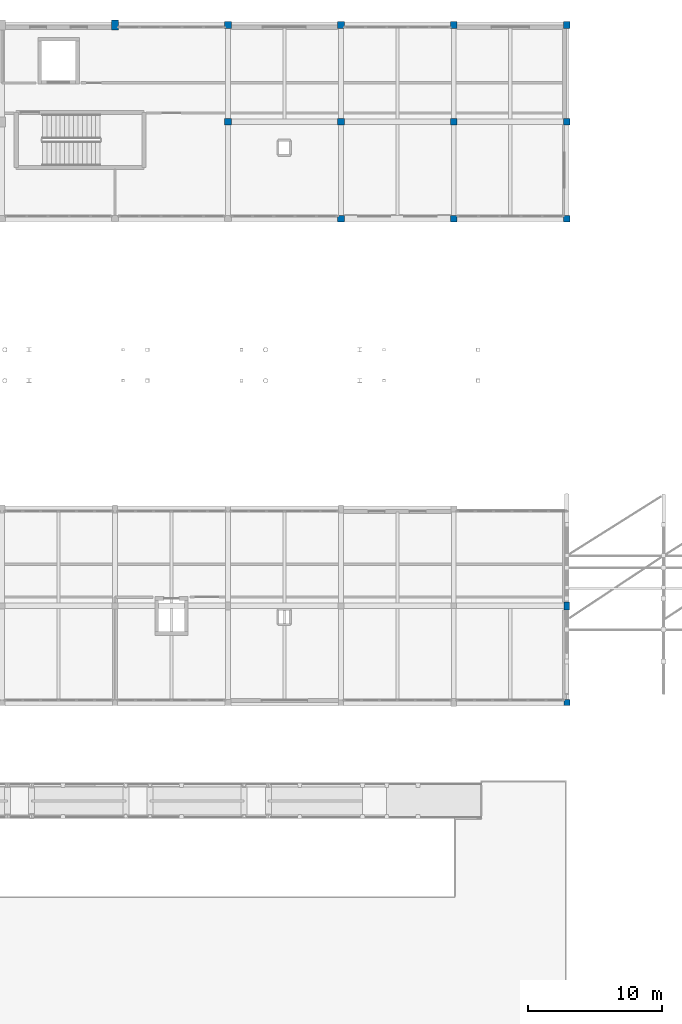
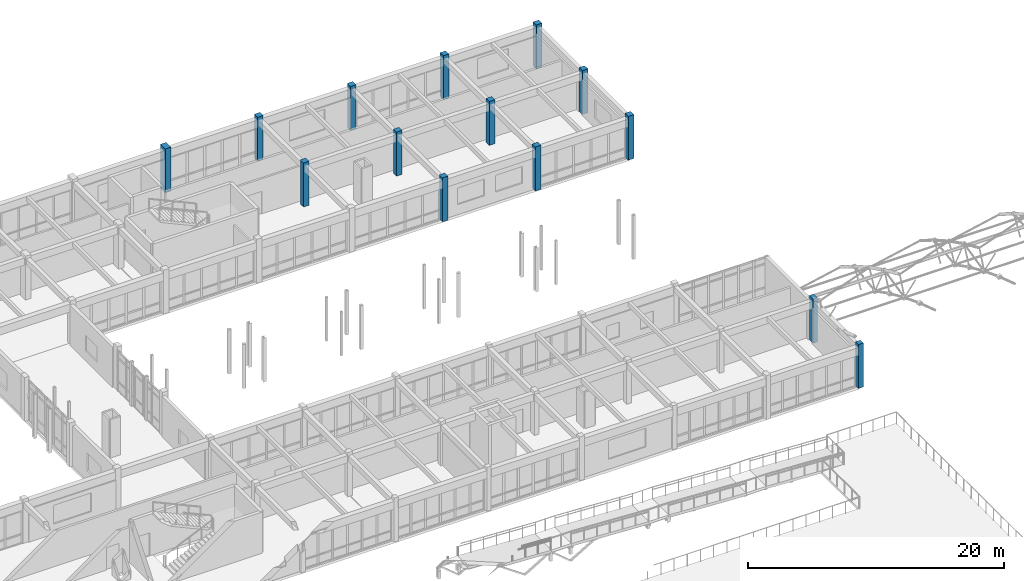
# One storey, part 19 of 89: 14 columns.
"""IFC4 building model written with IfcOpenShell, lengths in metres."""

import ifcopenshell
import ifcopenshell.guid

model = None  # the IFC model being written
_history = None  # IfcOwnerHistory: only IFC2X3 demands one
_inside = {}  # id of a spatial element -> (the spatial element, [elements in it])
_under = {}  # id of a project, library or spatial element -> (it, [spatial elements below it])
_declared = {}  # id of a project -> (the project, [libraries it declares])
_typed = {}  # id of a type object -> (the type object, [elements of that type])
_made_of = {}  # id of a material, layer set ... -> (it, [elements and type objects made of it])


def new_model(schema):
    """Start an empty IFC model of exactly this schema.

    Asked for "IFC4X3", IfcOpenShell would pick the latest addendum, in which some entities
    have other attributes; the version numbers below select the first issue.
    IFC2X3 requires an IfcOwnerHistory on every rooted entity: one is made here for all.
    """
    global model, _history
    if schema == "IFC4X3":
        model = ifcopenshell.file(schema_version=(4, 3, 0, 0))
    else:
        model = ifcopenshell.file(schema=schema)
    _inside.clear()
    _under.clear()
    _declared.clear()
    _typed.clear()
    _made_of.clear()
    _history = None
    if model.schema == "IFC2X3":
        org = make("IfcOrganization", Name="unknown")
        user = make(
            "IfcPersonAndOrganization",
            ThePerson=make("IfcPerson", FamilyName="unknown"),
            TheOrganization=org,
        )
        app = make(
            "IfcApplication",
            ApplicationDeveloper=org,
            Version="unknown",
            ApplicationFullName="unknown",
            ApplicationIdentifier="unknown",
        )
        _history = make(
            "IfcOwnerHistory",
            OwningUser=user,
            OwningApplication=app,
            ChangeAction="ADDED",
            CreationDate=0,
        )
    return model


def make(cls, **values):
    """One entity of the class cls with the attributes given. An attribute that is None is left unset."""
    return model.create_entity(
        cls, **{name: value for name, value in values.items() if value is not None}
    )


def rooted(cls, **values):
    """An entity with a GlobalId (a new one), such as an element, a storey or a relation."""
    return make(cls, GlobalId=ifcopenshell.guid.new(), OwnerHistory=_history, **values)


def si_unit(unit_type, name, prefix=None):
    """IfcSIUnit, for example si_unit("LENGTHUNIT", "METRE", prefix="MILLI")."""
    return make("IfcSIUnit", UnitType=unit_type, Prefix=prefix, Name=name)


def assignment(units):
    """IfcUnitAssignment: the units of a project."""
    return None if units is None else make("IfcUnitAssignment", Units=units)


def point(xyz):
    """IfcCartesianPoint."""
    return None if xyz is None else make("IfcCartesianPoint", Coordinates=xyz)


def direction(xyz):
    """IfcDirection."""
    return None if xyz is None else make("IfcDirection", DirectionRatios=xyz)


def frame(location, z_axis=None, x_axis=None):
    """IfcAxis2Placement3D, a coordinate frame: its origin and axes. An axis left out is left unset."""
    return make(
        "IfcAxis2Placement3D",
        Location=point(location),
        Axis=direction(z_axis),
        RefDirection=direction(x_axis),
    )


def frame_2d(location, x_axis=None):
    """IfcAxis2Placement2D, a coordinate frame in the plane: its origin and x axis."""
    return make(
        "IfcAxis2Placement2D", Location=point(location), RefDirection=direction(x_axis)
    )


def origin():
    """The frame at (0, 0, 0) with its axes left unset."""
    return frame((0.0, 0.0, 0.0))


def origin_2d():
    """The frame at (0, 0) in the plane with its x axis left unset."""
    return frame_2d((0.0, 0.0))


def place(relative_to, where):
    """IfcLocalPlacement: puts the frame where relative to a parent placement (None: the world)."""
    return make(
        "IfcLocalPlacement", PlacementRelTo=relative_to, RelativePlacement=where
    )


def context(
    kind, dimensions, precision=None, world=None, true_north=None, identifier=None
):
    """IfcGeometricRepresentationContext, for example the 3D "Model" context."""
    return make(
        "IfcGeometricRepresentationContext",
        ContextIdentifier=identifier,
        ContextType=kind,
        CoordinateSpaceDimension=dimensions,
        Precision=precision,
        WorldCoordinateSystem=world,
        TrueNorth=true_north,
    )


def subcontext(parent, identifier, kind, view, scale=None):
    """IfcGeometricRepresentationSubContext, for example "Body" below "Model"."""
    return make(
        "IfcGeometricRepresentationSubContext",
        ContextIdentifier=identifier,
        ContextType=kind,
        ParentContext=parent,
        TargetScale=scale,
        TargetView=view,
    )


def project(units=None, contexts=None):
    """IfcProject with its units and contexts."""
    return rooted(
        "IfcProject",
        Name="project",
        RepresentationContexts=contexts,
        UnitsInContext=assignment(units),
    )


def spatial(cls, under=None, at=None, **own):
    """A site, building, storey or space (cls), placed at a placement, below another one or the project."""
    s = rooted(cls, ObjectPlacement=at, **own)
    if under is not None:
        _under.setdefault(under.id(), (under, []))[1].append(s)
    return s


def profile(cls, at=None, kind="AREA", **sizes):
    """A parametric profile (cls). Its sizes go by their IFC names, for example OverallWidth=200.0."""
    return make(cls, ProfileType=kind, Position=at, **sizes)


def rectangle(**sizes):
    """IfcRectangleProfileDef."""
    return profile("IfcRectangleProfileDef", **sizes)


def extrude(swept, where, along, depth):
    """IfcExtrudedAreaSolid: the profile swept, set in the frame where, extruded along a direction by depth."""
    return make(
        "IfcExtrudedAreaSolid",
        SweptArea=swept,
        Position=where,
        ExtrudedDirection=direction(along),
        Depth=depth,
    )


def shape(context_of_items, identifier, shape_type, items):
    """IfcShapeRepresentation: the items that make up one representation, for example the "Body"."""
    return make(
        "IfcShapeRepresentation",
        ContextOfItems=context_of_items,
        RepresentationIdentifier=identifier,
        RepresentationType=shape_type,
        Items=items,
    )


def material(Name=None, Category=None):
    """IfcMaterial."""
    return make("IfcMaterial", Name=Name, Category=Category)


def material_profile(
    of_material, cross_section, Name=None, Category=None, Priority=None
):
    """IfcMaterialProfile: a cross section and its material."""
    return make(
        "IfcMaterialProfile",
        Name=Name,
        Material=of_material,
        Profile=cross_section,
        Priority=Priority,
        Category=Category,
    )


def profile_set(profiles, Name=None, composite=None):
    """IfcMaterialProfileSet."""
    return make(
        "IfcMaterialProfileSet",
        Name=Name,
        MaterialProfiles=profiles,
        CompositeProfile=composite,
    )


def made_of(thing, what):
    """Note that an element or type object is made of a material, layer set ...; save() writes the relation."""
    if what is not None:
        _made_of.setdefault(what.id(), (what, []))[1].append(thing)
    return thing


def type_object(cls, material=None, **own):
    """A type object (cls), such as IfcWallType, which elements share."""
    return made_of(rooted(cls, **own), material)


def element(
    cls,
    number,
    at=None,
    inside=None,
    cuts=None,
    type_object=None,
    material=None,
    context=None,
    identifier="Body",
    shape_type=None,
    held_by="IfcProductDefinitionShape",
    body=None,
    shapes=None,
    **own,
):
    """One element of the class cls, such as IfcWall. Its Tag is "e" and its number.

    at: its placement. inside: the storey or other place that contains it. cuts: it is an
    opening in that element (IfcRelVoidsElement). A single representation is given by context,
    identifier, shape_type and body (its items); several are given by shapes. held_by: the class
    of the entity that holds the representations. save() writes the other relations.
    """
    e = rooted(cls, Tag="e%d" % number, ObjectPlacement=at, **own)
    if body is not None:
        shapes = [shape(context, identifier, shape_type, body)]
    if shapes is not None:
        e.Representation = make(held_by, Representations=shapes)
    if inside is not None:
        _inside.setdefault(inside.id(), (inside, []))[1].append(e)
    if cuts is not None:
        rooted(
            "IfcRelVoidsElement", RelatingBuildingElement=cuts, RelatedOpeningElement=e
        )
    if type_object is not None:
        _typed.setdefault(type_object.id(), (type_object, []))[1].append(e)
    return made_of(e, material)


def aggregate(whole, parts):
    """IfcRelAggregates: a whole, such as a stair, and the parts it consists of."""
    return rooted("IfcRelAggregates", RelatingObject=whole, RelatedObjects=parts)


def save(model, path):
    """Write the relations noted so far, then the file.

    IfcRelAggregates (storeys below a building ...), IfcRelContainedInSpatialStructure (elements
    in a storey), IfcRelDefinesByType, IfcRelAssociatesMaterial and IfcRelDeclares: one each for
    every whole, place, type object, material and project.
    """
    for whole, parts in _under.values():
        aggregate(whole, parts)
    for where, things in _inside.values():
        rooted(
            "IfcRelContainedInSpatialStructure",
            RelatedElements=things,
            RelatingStructure=where,
        )
    for kind, things in _typed.values():
        rooted("IfcRelDefinesByType", RelatedObjects=things, RelatingType=kind)
    for what, things in _made_of.values():
        rooted("IfcRelAssociatesMaterial", RelatedObjects=things, RelatingMaterial=what)
    for by, libraries in _declared.values():
        rooted("IfcRelDeclares", RelatingContext=by, RelatedDefinitions=libraries)
    model.write(path)


model = new_model("IFC4")

# Units and contexts
model_context = context("Model", 3, precision=1e-05, world=origin(), true_north=direction((0.0, 1.0)))
body_context = subcontext(model_context, "Body", "Model", "MODEL_VIEW")
ifc_project = project(units=[si_unit("LENGTHUNIT", "METRE"), si_unit("AREAUNIT", "SQUARE_METRE"), si_unit("VOLUMEUNIT", "CUBIC_METRE"), si_unit("PLANEANGLEUNIT", "RADIAN"), si_unit("MASSUNIT", "GRAM", prefix="KILO")], contexts=[model_context])

# Site, building, storey
site_placement = place(None, origin())
site = spatial("IfcSite", under=ifc_project, at=site_placement, CompositionType="ELEMENT")
building_placement = place(site_placement, origin())
building = spatial("IfcBuilding", under=site, at=building_placement, Name="Malvenik Polytechnic", CompositionType="ELEMENT")
storey_placement = place(building_placement, frame((0.0, 0.0, 13.5)))
storey = spatial("IfcBuildingStorey", under=building, at=storey_placement, Name="L03", CompositionType="ELEMENT", Elevation=13.5)

# Columns
ifc_material = material(Name="Concrete C35/45", Category="concrete")
ifc_material_profile_1 = material_profile(ifc_material, rectangle(XDim=0.5, YDim=0.5, at=origin_2d()), Name="RC COL 500x500")
ifc_profile_set_1 = profile_set([ifc_material_profile_1], Name="Concrete C35/45")
column_type_1 = type_object("IfcColumnType", Name="STR-COL-C-08", PredefinedType="COLUMN", material=ifc_profile_set_1)
for number, where, z_axis, x_axis, name in (
    (1, (109.199951171875, 122.39990234375, 0.0), (0.0, 0.0, 1.0), (1.0, 0.0, 0.0), "Column C-08 L03 (109.2,122.4)"),
    (2, (109.199951171875, 129.60009765625, 0.0), (0.0, 0.0, 1.0), (1.0, 0.0, 0.0), "Column C-08 L03 (109.2,129.6)"),
    (3, (117.60009765625, 115.199951171875, 0.0), (0.0, 0.0, 1.0), (1.0, 0.0, 0.0), "Column C-08 L03 (117.6,115.2)"),
    (4, (117.60009765625, 122.39990234375, 0.0), (0.0, 0.0, 1.0), (1.0, 0.0, 0.0), "Column C-08 L03 (117.6,122.4)"),
    (5, (117.60009765625, 129.60009765625, 0.0), (0.0, 0.0, 1.0), (1.0, 0.0, 0.0), "Column C-08 L03 (117.6,129.6)"),
    (6, (126.0, 115.199951171875, 0.0), (0.0, 0.0, 1.0), (1.0, 0.0, 0.0), "Column C-08 L03 (126.0,115.2)"),
    (7, (126.0, 122.39990234375, 0.0), (0.0, 0.0, 1.0), (1.0, 0.0, 0.0), "Column C-08 L03 (126.0,122.4)"),
    (8, (126.0, 129.60009765625, 0.0), (0.0, 0.0, 1.0), (1.0, 0.0, 0.0), "Column C-08 L03 (126.0,129.6)"),
    (9, (134.39990234375, 115.199951171875, 0.0), (0.0, 0.0, 1.0), (1.0, 0.0, 0.0), "Column C-08 L03 (134.4,115.2)"),
    (10, (134.39990234375, 122.39990234375, 0.0), (0.0, 0.0, 1.0), (1.0, 0.0, 0.0), "Column C-08 L03 (134.4,122.4)"),
    (11, (134.39990234375, 129.60009765625, 0.0), (0.0, 0.0, 1.0), (1.0, 0.0, 0.0), "Column C-08 L03 (134.4,129.6)"),
):
    element("IfcColumn", number, at=place(storey_placement, frame(where, z_axis=z_axis, x_axis=x_axis)), inside=storey, type_object=column_type_1, Name=name, PredefinedType="COLUMN", context=body_context, shape_type="SweptSolid", body=[
        extrude(rectangle(XDim=0.5, YDim=0.5, at=origin_2d()), origin(), (0.0, 0.0, 1.0), 4.199951171875),
    ])
ifc_material_profile_2 = material_profile(ifc_material, rectangle(XDim=0.449951171875, YDim=0.449951171875, at=origin_2d()), Name="RC COL 450x450")
ifc_profile_set_2 = profile_set([ifc_material_profile_2], Name="Concrete C35/45")
column_type_2 = type_object("IfcColumnType", Name="STR-COL-C-09", PredefinedType="COLUMN", material=ifc_profile_set_2)
column_1_placement = place(storey_placement, frame((134.39990234375, 79.199951171875, 0.0), z_axis=(0.0, 0.0, 1.0), x_axis=(1.0, 0.0, 0.0)))
element("IfcColumn", 12, at=column_1_placement, inside=storey, type_object=column_type_2, Name="Column C-09 L03 (134.4,79.2)", PredefinedType="COLUMN", context=body_context, shape_type="SweptSolid", body=[
    extrude(rectangle(XDim=0.449951171875, YDim=0.449951171875, at=origin_2d()), origin(), (0.0, 0.0, 1.0), 4.199951171875),
])
ifc_material_profile_3 = material_profile(ifc_material, rectangle(XDim=0.5, YDim=0.75, at=origin_2d()), Name="RC COL 750x500")
ifc_profile_set_3 = profile_set([ifc_material_profile_3], Name="Concrete C35/45")
column_type_3 = type_object("IfcColumnType", Name="STR-COL-C-14", PredefinedType="COLUMN", material=ifc_profile_set_3)
column_2_placement = place(storey_placement, frame((100.800048828125, 129.60009765625, 0.0), z_axis=(0.0, 0.0, 1.0), x_axis=(1.0, 0.0, 0.0)))
element("IfcColumn", 13, at=column_2_placement, inside=storey, type_object=column_type_3, Name="Column C-14 L03 (100.8,129.6)", PredefinedType="COLUMN", context=body_context, shape_type="SweptSolid", body=[
    extrude(rectangle(XDim=0.5, YDim=0.75, at=origin_2d()), origin(), (0.0, 0.0, 1.0), 4.199951171875),
])
ifc_material_profile_4 = material_profile(ifc_material, rectangle(XDim=0.39990234375, YDim=0.60009765625, at=origin_2d()), Name="RC COL 600x400")
ifc_profile_set_4 = profile_set([ifc_material_profile_4], Name="Concrete C35/45")
column_type_4 = type_object("IfcColumnType", Name="STR-COL-C-15", PredefinedType="COLUMN", material=ifc_profile_set_4)
column_3_placement = place(storey_placement, frame((134.39990234375, 86.39990234375, 0.0), z_axis=(0.0, 0.0, 1.0), x_axis=(1.0, 0.0, 0.0)))
element("IfcColumn", 14, at=column_3_placement, inside=storey, type_object=column_type_4, Name="Column C-15 L03 (134.4,86.4)", PredefinedType="COLUMN", context=body_context, shape_type="SweptSolid", body=[
    extrude(rectangle(XDim=0.39990234375, YDim=0.60009765625, at=origin_2d()), origin(), (0.0, 0.0, 1.0), 4.199951171875),
])

save(model, "model.ifc")
